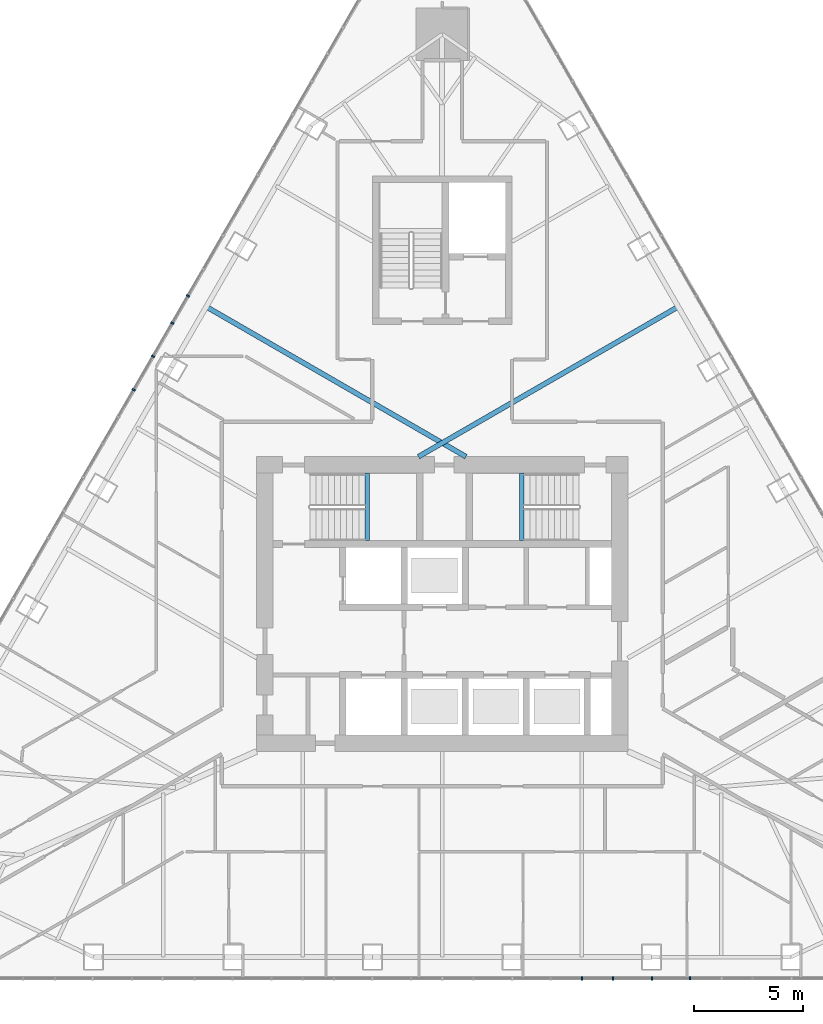
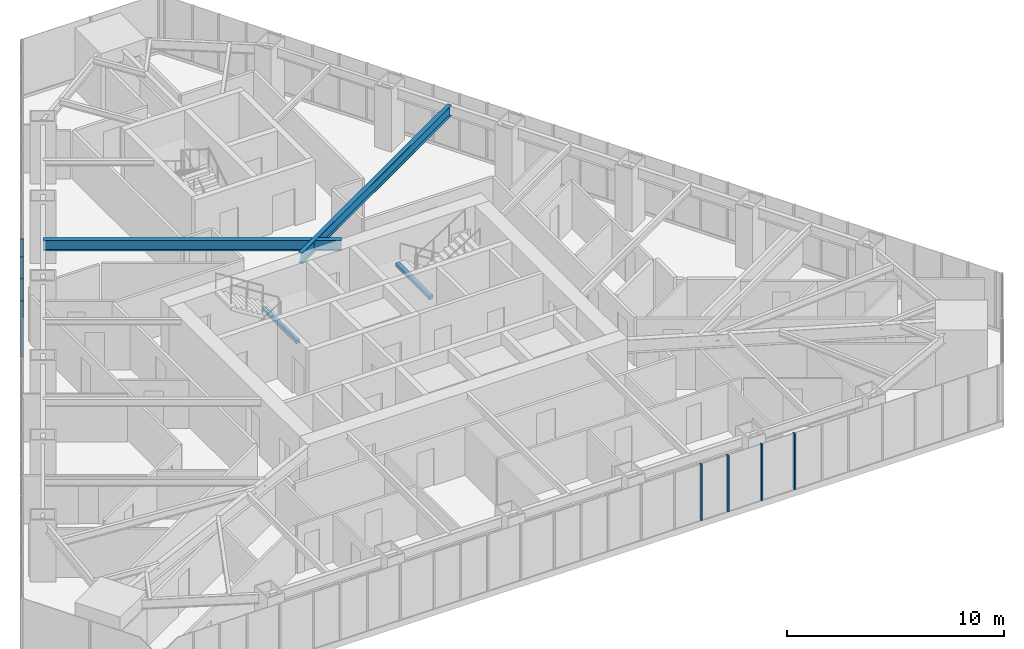
# One storey, part 7 of 21: 8 members, 4 beams, 2 elements without a shape of their own.
"""IFC4 building model written with IfcOpenShell, lengths in metres."""

import ifcopenshell
import ifcopenshell.guid

model = None  # the IFC model being written
_history = None  # IfcOwnerHistory: only IFC2X3 demands one
_inside = {}  # id of a spatial element -> (the spatial element, [elements in it])
_under = {}  # id of a project, library or spatial element -> (it, [spatial elements below it])
_declared = {}  # id of a project -> (the project, [libraries it declares])
_typed = {}  # id of a type object -> (the type object, [elements of that type])
_made_of = {}  # id of a material, layer set ... -> (it, [elements and type objects made of it])


def new_model(schema):
    """Start an empty IFC model of exactly this schema.

    Asked for "IFC4X3", IfcOpenShell would pick the latest addendum, in which some entities
    have other attributes; the version numbers below select the first issue.
    IFC2X3 requires an IfcOwnerHistory on every rooted entity: one is made here for all.
    """
    global model, _history
    if schema == "IFC4X3":
        model = ifcopenshell.file(schema_version=(4, 3, 0, 0))
    else:
        model = ifcopenshell.file(schema=schema)
    _inside.clear()
    _under.clear()
    _declared.clear()
    _typed.clear()
    _made_of.clear()
    _history = None
    if model.schema == "IFC2X3":
        org = make("IfcOrganization", Name="unknown")
        user = make(
            "IfcPersonAndOrganization",
            ThePerson=make("IfcPerson", FamilyName="unknown"),
            TheOrganization=org,
        )
        app = make(
            "IfcApplication",
            ApplicationDeveloper=org,
            Version="unknown",
            ApplicationFullName="unknown",
            ApplicationIdentifier="unknown",
        )
        _history = make(
            "IfcOwnerHistory",
            OwningUser=user,
            OwningApplication=app,
            ChangeAction="ADDED",
            CreationDate=0,
        )
    return model


def make(cls, **values):
    """One entity of the class cls with the attributes given. An attribute that is None is left unset."""
    return model.create_entity(
        cls, **{name: value for name, value in values.items() if value is not None}
    )


def rooted(cls, **values):
    """An entity with a GlobalId (a new one), such as an element, a storey or a relation."""
    return make(cls, GlobalId=ifcopenshell.guid.new(), OwnerHistory=_history, **values)


def si_unit(unit_type, name, prefix=None):
    """IfcSIUnit, for example si_unit("LENGTHUNIT", "METRE", prefix="MILLI")."""
    return make("IfcSIUnit", UnitType=unit_type, Prefix=prefix, Name=name)


def assignment(units):
    """IfcUnitAssignment: the units of a project."""
    return None if units is None else make("IfcUnitAssignment", Units=units)


def point(xyz):
    """IfcCartesianPoint."""
    return None if xyz is None else make("IfcCartesianPoint", Coordinates=xyz)


def direction(xyz):
    """IfcDirection."""
    return None if xyz is None else make("IfcDirection", DirectionRatios=xyz)


def frame(location, z_axis=None, x_axis=None):
    """IfcAxis2Placement3D, a coordinate frame: its origin and axes. An axis left out is left unset."""
    return make(
        "IfcAxis2Placement3D",
        Location=point(location),
        Axis=direction(z_axis),
        RefDirection=direction(x_axis),
    )


def frame_2d(location, x_axis=None):
    """IfcAxis2Placement2D, a coordinate frame in the plane: its origin and x axis."""
    return make(
        "IfcAxis2Placement2D", Location=point(location), RefDirection=direction(x_axis)
    )


def origin():
    """The frame at (0, 0, 0) with its axes left unset."""
    return frame((0.0, 0.0, 0.0))


def origin_2d():
    """The frame at (0, 0) in the plane with its x axis left unset."""
    return frame_2d((0.0, 0.0))


def place(relative_to, where):
    """IfcLocalPlacement: puts the frame where relative to a parent placement (None: the world)."""
    return make(
        "IfcLocalPlacement", PlacementRelTo=relative_to, RelativePlacement=where
    )


def context(
    kind, dimensions, precision=None, world=None, true_north=None, identifier=None
):
    """IfcGeometricRepresentationContext, for example the 3D "Model" context."""
    return make(
        "IfcGeometricRepresentationContext",
        ContextIdentifier=identifier,
        ContextType=kind,
        CoordinateSpaceDimension=dimensions,
        Precision=precision,
        WorldCoordinateSystem=world,
        TrueNorth=true_north,
    )


def subcontext(parent, identifier, kind, view, scale=None):
    """IfcGeometricRepresentationSubContext, for example "Body" below "Model"."""
    return make(
        "IfcGeometricRepresentationSubContext",
        ContextIdentifier=identifier,
        ContextType=kind,
        ParentContext=parent,
        TargetScale=scale,
        TargetView=view,
    )


def project(units=None, contexts=None):
    """IfcProject with its units and contexts."""
    return rooted(
        "IfcProject",
        Name="project",
        RepresentationContexts=contexts,
        UnitsInContext=assignment(units),
    )


def spatial(cls, under=None, at=None, **own):
    """A site, building, storey or space (cls), placed at a placement, below another one or the project."""
    s = rooted(cls, ObjectPlacement=at, **own)
    if under is not None:
        _under.setdefault(under.id(), (under, []))[1].append(s)
    return s


def profile(cls, at=None, kind="AREA", **sizes):
    """A parametric profile (cls). Its sizes go by their IFC names, for example OverallWidth=200.0."""
    return make(cls, ProfileType=kind, Position=at, **sizes)


def rectangle(**sizes):
    """IfcRectangleProfileDef."""
    return profile("IfcRectangleProfileDef", **sizes)


def i_section(**sizes):
    """IfcIShapeProfileDef."""
    return profile("IfcIShapeProfileDef", **sizes)


def extrude(swept, where, along, depth):
    """IfcExtrudedAreaSolid: the profile swept, set in the frame where, extruded along a direction by depth."""
    return make(
        "IfcExtrudedAreaSolid",
        SweptArea=swept,
        Position=where,
        ExtrudedDirection=direction(along),
        Depth=depth,
    )


def shape(context_of_items, identifier, shape_type, items):
    """IfcShapeRepresentation: the items that make up one representation, for example the "Body"."""
    return make(
        "IfcShapeRepresentation",
        ContextOfItems=context_of_items,
        RepresentationIdentifier=identifier,
        RepresentationType=shape_type,
        Items=items,
    )


def material(Name=None, Category=None):
    """IfcMaterial."""
    return make("IfcMaterial", Name=Name, Category=Category)


def layer(
    of_material, thickness, ventilated=None, Name=None, Category=None, Priority=None
):
    """IfcMaterialLayer: one layer of a wall or slab, of a material (None: an air gap)."""
    return make(
        "IfcMaterialLayer",
        Material=of_material,
        LayerThickness=thickness,
        IsVentilated=ventilated,
        Name=Name,
        Category=Category,
        Priority=Priority,
    )


def layer_set(layers, Name=None):
    """IfcMaterialLayerSet."""
    return make("IfcMaterialLayerSet", MaterialLayers=layers, LayerSetName=Name)


def material_profile(
    of_material, cross_section, Name=None, Category=None, Priority=None
):
    """IfcMaterialProfile: a cross section and its material."""
    return make(
        "IfcMaterialProfile",
        Name=Name,
        Material=of_material,
        Profile=cross_section,
        Priority=Priority,
        Category=Category,
    )


def profile_set(profiles, Name=None, composite=None):
    """IfcMaterialProfileSet."""
    return make(
        "IfcMaterialProfileSet",
        Name=Name,
        MaterialProfiles=profiles,
        CompositeProfile=composite,
    )


def made_of(thing, what):
    """Note that an element or type object is made of a material, layer set ...; save() writes the relation."""
    if what is not None:
        _made_of.setdefault(what.id(), (what, []))[1].append(thing)
    return thing


def type_object(cls, material=None, **own):
    """A type object (cls), such as IfcWallType, which elements share."""
    return made_of(rooted(cls, **own), material)


def element(
    cls,
    number,
    at=None,
    inside=None,
    cuts=None,
    type_object=None,
    material=None,
    context=None,
    identifier="Body",
    shape_type=None,
    held_by="IfcProductDefinitionShape",
    body=None,
    shapes=None,
    **own,
):
    """One element of the class cls, such as IfcWall. Its Tag is "e" and its number.

    at: its placement. inside: the storey or other place that contains it. cuts: it is an
    opening in that element (IfcRelVoidsElement). A single representation is given by context,
    identifier, shape_type and body (its items); several are given by shapes. held_by: the class
    of the entity that holds the representations. save() writes the other relations.
    """
    e = rooted(cls, Tag="e%d" % number, ObjectPlacement=at, **own)
    if body is not None:
        shapes = [shape(context, identifier, shape_type, body)]
    if shapes is not None:
        e.Representation = make(held_by, Representations=shapes)
    if inside is not None:
        _inside.setdefault(inside.id(), (inside, []))[1].append(e)
    if cuts is not None:
        rooted(
            "IfcRelVoidsElement", RelatingBuildingElement=cuts, RelatedOpeningElement=e
        )
    if type_object is not None:
        _typed.setdefault(type_object.id(), (type_object, []))[1].append(e)
    return made_of(e, material)


def aggregate(whole, parts):
    """IfcRelAggregates: a whole, such as a stair, and the parts it consists of."""
    return rooted("IfcRelAggregates", RelatingObject=whole, RelatedObjects=parts)


def save(model, path):
    """Write the relations noted so far, then the file.

    IfcRelAggregates (storeys below a building ...), IfcRelContainedInSpatialStructure (elements
    in a storey), IfcRelDefinesByType, IfcRelAssociatesMaterial and IfcRelDeclares: one each for
    every whole, place, type object, material and project.
    """
    for whole, parts in _under.values():
        aggregate(whole, parts)
    for where, things in _inside.values():
        rooted(
            "IfcRelContainedInSpatialStructure",
            RelatedElements=things,
            RelatingStructure=where,
        )
    for kind, things in _typed.values():
        rooted("IfcRelDefinesByType", RelatedObjects=things, RelatingType=kind)
    for what, things in _made_of.values():
        rooted("IfcRelAssociatesMaterial", RelatedObjects=things, RelatingMaterial=what)
    for by, libraries in _declared.values():
        rooted("IfcRelDeclares", RelatingContext=by, RelatedDefinitions=libraries)
    model.write(path)


model = new_model("IFC4")

# Units and contexts
model_context = context("Model", 3, precision=1e-05, world=origin(), true_north=direction((0.0, 1.0)))
body_context = subcontext(model_context, "Body", "Model", "MODEL_VIEW")
ifc_project = project(units=[si_unit("LENGTHUNIT", "METRE"), si_unit("AREAUNIT", "SQUARE_METRE"), si_unit("VOLUMEUNIT", "CUBIC_METRE"), si_unit("PLANEANGLEUNIT", "RADIAN"), si_unit("MASSUNIT", "GRAM", prefix="KILO")], contexts=[model_context])

# Site, building, storey
site_placement = place(None, origin())
site = spatial("IfcSite", under=ifc_project, at=site_placement, CompositionType="ELEMENT")
building_placement = place(site_placement, origin())
building = spatial("IfcBuilding", under=site, at=building_placement, Name="Firuza Gate Tower and Library", CompositionType="ELEMENT")
storey_placement = place(building_placement, frame((0.0, 0.0, 284.60009765625)))
storey = spatial("IfcBuildingStorey", under=building, at=storey_placement, Name="L68", CompositionType="ELEMENT", Elevation=284.60009765625)

# Curtain wall, members
ifc_material_1 = material(Name="Aluminium 6063-T6", Category="aluminium")
ifc_layer = layer(ifc_material_1, 0.14990234375)
ifc_layer_set = layer_set([ifc_layer], Name="Unitised curtain wall, residences")
curtain_wall_type = type_object("IfcCurtainWallType", Name="Unitised curtain wall, residences", PredefinedType="NOTDEFINED", material=ifc_layer_set)
placement = place(storey_placement, origin())
curtain_wall_1 = element("IfcCurtainWall", 1, at=placement, inside=storey, type_object=curtain_wall_type, Name="CW3 L68 S face", PredefinedType="NOTDEFINED")
ifc_material_2 = material(Name="Aluminium 6063-T6", Category="aluminium")
ifc_material_profile_1 = material_profile(ifc_material_2, rectangle(XDim=0.14990234375, YDim=0.080078125, at=origin_2d()))
ifc_profile_set_1 = profile_set([ifc_material_profile_1], Name="Aluminium 6063-T6")
member_type = type_object("IfcMemberType", Name="Curtain wall mullion 80x150", PredefinedType="MULLION", material=ifc_profile_set_1)
member_1_placement = place(storey_placement, frame((81.401611328125, 57.85693359375, 0.14990234375), z_axis=(0.0, 0.0, 1.0), x_axis=(0.0, 1.0, 0.0)))
member_1 = element("IfcMember", 2, at=member_1_placement, type_object=member_type, Name="Mullion", PredefinedType="MULLION", context=body_context, shape_type="SweptSolid", body=[
    extrude(rectangle(XDim=0.14990234375, YDim=0.080078125, at=origin_2d()), origin(), (0.0, 0.0, 1.0), 3.14990234375),
])
member_2_placement = place(storey_placement, frame((84.6025390625, 57.85693359375, 0.14990234375), z_axis=(0.0, 0.0, 1.0), x_axis=(0.0, 1.0, 0.0)))
member_2 = element("IfcMember", 3, at=member_2_placement, type_object=member_type, Name="Mullion", PredefinedType="MULLION", context=body_context, shape_type="SweptSolid", body=[
    extrude(rectangle(XDim=0.14990234375, YDim=0.080078125, at=origin_2d()), origin(), (0.0, 0.0, 1.0), 3.14990234375),
])
member_3_placement = place(storey_placement, frame((82.817626953125, 57.85693359375, 0.14990234375), z_axis=(0.0, 0.0, 1.0), x_axis=(0.0, 1.0, 0.0)))
member_3 = element("IfcMember", 4, at=member_3_placement, type_object=member_type, Name="Mullion", PredefinedType="MULLION", context=body_context, shape_type="SweptSolid", body=[
    extrude(rectangle(XDim=0.14990234375, YDim=0.080078125, at=origin_2d()), origin(), (0.0, 0.0, 1.0), 3.14990234375),
])
member_4_placement = place(storey_placement, frame((86.350341796875, 57.85693359375, 0.14990234375), z_axis=(0.0, 0.0, 1.0), x_axis=(0.0, 1.0, 0.0)))
member_4 = element("IfcMember", 5, at=member_4_placement, type_object=member_type, Name="Mullion", PredefinedType="MULLION", context=body_context, shape_type="SweptSolid", body=[
    extrude(rectangle(XDim=0.14990234375, YDim=0.080078125, at=origin_2d()), origin(), (0.0, 0.0, 1.0), 3.14990234375),
])
aggregate(curtain_wall_1, [member_1, member_2, member_3, member_4])

curtain_wall_2 = element("IfcCurtainWall", 6, at=placement, inside=storey, type_object=curtain_wall_type, Name="CW3 L68 W face", PredefinedType="NOTDEFINED")
member_5_placement = place(storey_placement, frame((63.3544921875, 89.115478515625, 0.14990234375), z_axis=(0.0, 0.0, 1.0), x_axis=(0.866025403784, -0.5, 0.0)))
member_5 = element("IfcMember", 7, at=member_5_placement, type_object=member_type, Name="Mullion", PredefinedType="MULLION", context=body_context, shape_type="SweptSolid", body=[
    extrude(rectangle(XDim=0.14990234375, YDim=0.080078125, at=origin_2d()), origin(), (0.0, 0.0, 1.0), 3.14990234375),
])
member_6_placement = place(storey_placement, frame((61.754150390625, 86.343505859375, 0.14990234375), z_axis=(0.0, 0.0, 1.0), x_axis=(0.866025403784, -0.5, 0.0)))
member_6 = element("IfcMember", 8, at=member_6_placement, type_object=member_type, Name="Mullion", PredefinedType="MULLION", context=body_context, shape_type="SweptSolid", body=[
    extrude(rectangle(XDim=0.14990234375, YDim=0.080078125, at=origin_2d()), origin(), (0.0, 0.0, 1.0), 3.14990234375),
])
member_7_placement = place(storey_placement, frame((62.63427734375, 87.867919921875, 0.14990234375), z_axis=(0.0, 0.0, 1.0), x_axis=(0.866025403784, -0.5, 0.0)))
member_7 = element("IfcMember", 9, at=member_7_placement, type_object=member_type, Name="Mullion", PredefinedType="MULLION", context=body_context, shape_type="SweptSolid", body=[
    extrude(rectangle(XDim=0.14990234375, YDim=0.080078125, at=origin_2d()), origin(), (0.0, 0.0, 1.0), 3.14990234375),
])
member_8_placement = place(storey_placement, frame((60.867919921875, 84.808349609375, 0.14990234375), z_axis=(0.0, 0.0, 1.0), x_axis=(0.866025403784, -0.5, 0.0)))
member_8 = element("IfcMember", 10, at=member_8_placement, type_object=member_type, Name="Mullion", PredefinedType="MULLION", context=body_context, shape_type="SweptSolid", body=[
    extrude(rectangle(XDim=0.14990234375, YDim=0.080078125, at=origin_2d()), origin(), (0.0, 0.0, 1.0), 3.14990234375),
])
aggregate(curtain_wall_2, [member_5, member_6, member_7, member_8])

# Beams
ifc_material_3 = material(Name="Concrete C35/45", Category="concrete")
ifc_material_profile_2 = material_profile(ifc_material_3, rectangle(XDim=0.199951171875, YDim=0.199951171875, at=origin_2d()))
ifc_profile_set_2 = profile_set([ifc_material_profile_2], Name="Concrete C35/45")
beam_type_1 = type_object("IfcBeamType", Name="Stair landing bearer 200x200", PredefinedType="BEAM", material=ifc_profile_set_2)
for number, where, z_axis, x_axis, name in (
    (11, (71.56005859375, 77.89990234375, 1.449951171875), (0.0, 1.0, 0.0), (-1.0, 0.0, 0.0), "Landing bearer L68 stair 1"),
    (12, (78.639892578125, 81.0, 1.449951171875), (0.0, -1.0, 0.0), (1.0, 0.0, 0.0), "Landing bearer L68 stair 2"),
):
    element("IfcBeam", number, at=place(storey_placement, frame(where, z_axis=z_axis, x_axis=x_axis)), inside=storey, type_object=beam_type_1, Name=name, PredefinedType="BEAM", context=body_context, shape_type="SweptSolid", body=[
        extrude(rectangle(XDim=0.199951171875, YDim=0.199951171875, at=origin_2d()), origin(), (0.0, 0.0, 1.0), 3.10009765625),
    ])
ifc_material_4 = material(Name="Steel S355", Category="steel")
ifc_material_profile_3 = material_profile(ifc_material_4, i_section(OverallWidth=0.22802734375, OverallDepth=0.60302734375, WebThickness=0.010498046875, FlangeThickness=0.014892578125, at=origin_2d()))
ifc_profile_set_3 = profile_set([ifc_material_profile_3], Name="Steel S355")
beam_type_2 = type_object("IfcBeamType", Name="W610x101 Floor beam", PredefinedType="JOIST", material=ifc_profile_set_3)
for number, where, z_axis, x_axis, name in (
    (13, (85.80712890625, 88.617431640625, 2.998291015625), (-0.866021594624, -0.500006597602, 0.0), (0.500006597602, -0.866021594624, 0.0), "Floor beam L68 s53"),
    (14, (64.19287109375, 88.617431640625, 2.998291015625), (0.866021594624, -0.500006597602, 0.0), (0.500006597602, 0.866021594624, 0.0), "Floor beam L68 s81"),
):
    element("IfcBeam", number, at=place(storey_placement, frame(where, z_axis=z_axis, x_axis=x_axis)), inside=storey, type_object=beam_type_2, Name=name, PredefinedType="JOIST", context=body_context, shape_type="SweptSolid", body=[
        extrude(i_section(OverallWidth=0.22802734375, OverallDepth=0.60302734375, WebThickness=0.010498046875, FlangeThickness=0.014892578125, at=origin_2d()), origin(), (0.0, 0.0, 1.0), 13.734619140625),
    ])

save(model, "model.ifc")
